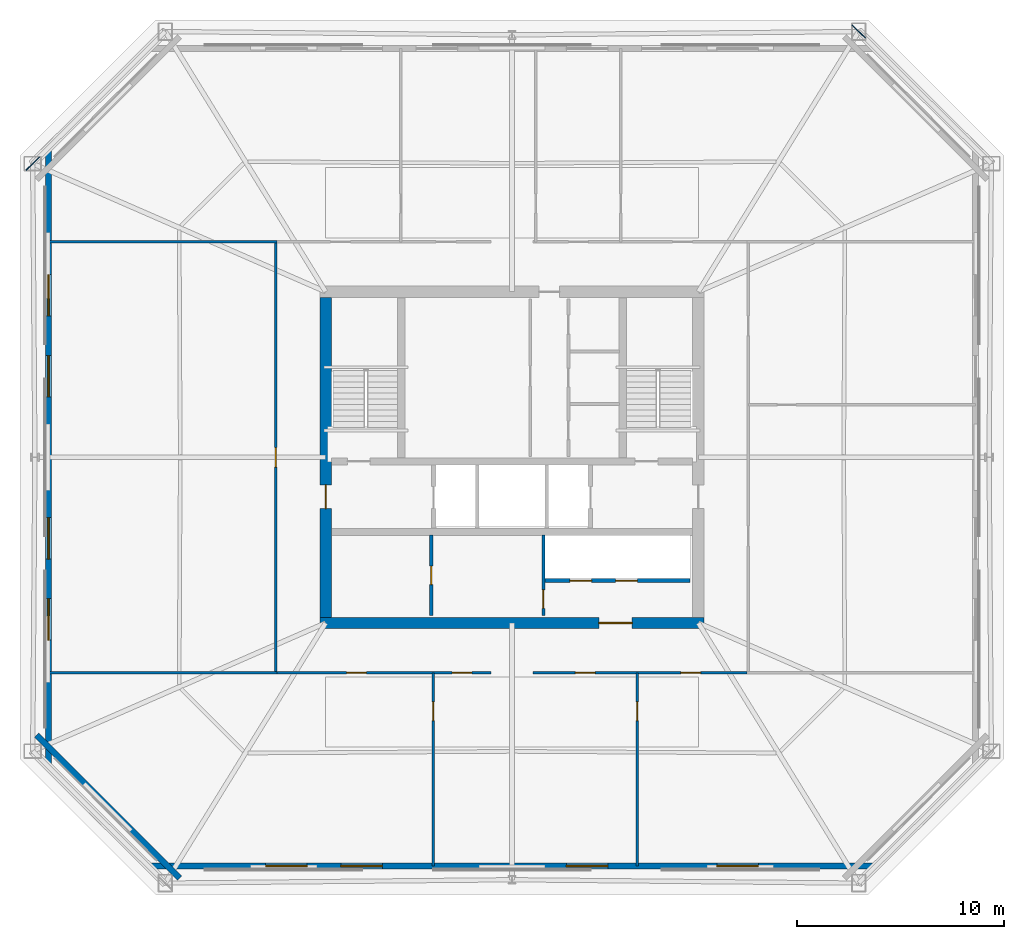
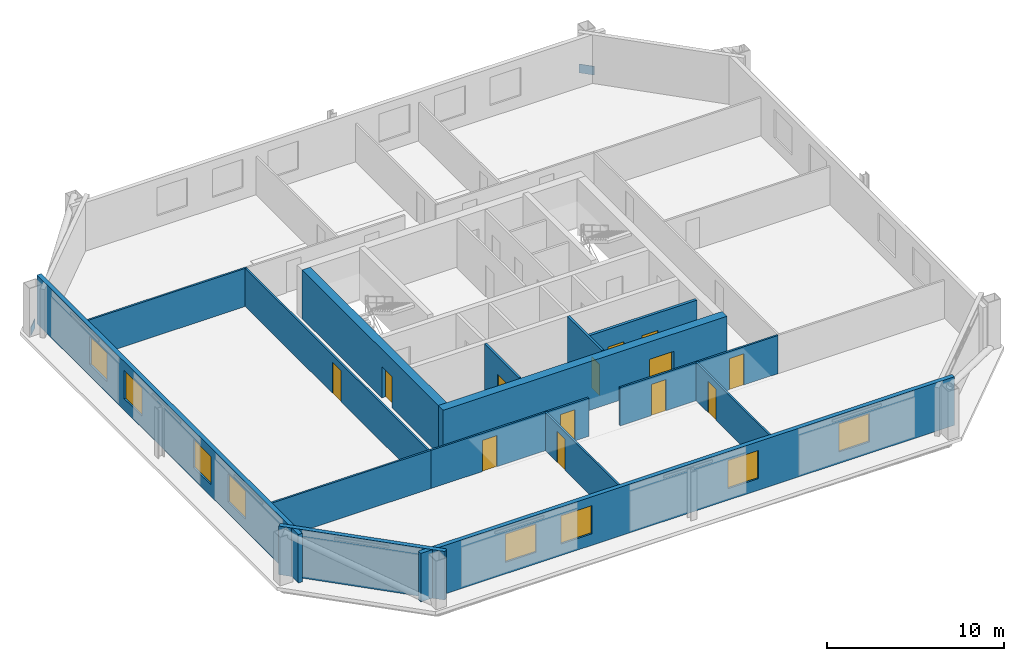
# One storey, part 2 of 6: 15 walls, 13 doors, 8 windows, 2 plates, 21 openings.
"""IFC4 building model written with IfcOpenShell, lengths in metres."""

from ifc_helpers import new_model, si_unit, direction, frame, frame_2d, origin, origin_2d, place, context, subcontext, project, spatial, rectangle, extrude, material, layer, layer_set, type_object, element, fill, save


model = new_model("IFC4")

# Units and contexts
model_context = context("Model", 3, precision=1e-05, world=origin(), true_north=direction((0.0, 1.0)))
body_context = subcontext(model_context, "Body", "Model", "MODEL_VIEW")
ifc_project = project(units=[si_unit("LENGTHUNIT", "METRE"), si_unit("AREAUNIT", "SQUARE_METRE"), si_unit("VOLUMEUNIT", "CUBIC_METRE"), si_unit("PLANEANGLEUNIT", "RADIAN"), si_unit("MASSUNIT", "GRAM", prefix="KILO")], contexts=[model_context])

# Site, building, storey
site_placement = place(None, origin())
site = spatial("IfcSite", under=ifc_project, at=site_placement, CompositionType="ELEMENT")
building_placement = place(site_placement, origin())
building = spatial("IfcBuilding", under=site, at=building_placement, Name="Caelvoria Tower", CompositionType="ELEMENT")
storey_placement = place(building_placement, frame((0.0, 0.0, 180.60009765625)))
storey = spatial("IfcBuildingStorey", under=building, at=storey_placement, Name="L47", CompositionType="ELEMENT", Elevation=180.60009765625)

# Plates
ifc_material_1 = material(Name="Structural Steel ASTM A572 Gr.50", Category="steel")
ifc_layer_1 = layer(ifc_material_1, 0.0400390625, Name="Structural Steel ASTM A572 Gr.50")
ifc_layer_set_1 = layer_set([ifc_layer_1], Name="Megaframe Node Gusset Plate 900x600x40 - Structural Steel ASTM A572 Gr.50")
plate_type = type_object("IfcPlateType", Name="Megaframe Node Gusset Plate 900x600x40", PredefinedType="USERDEFINED", material=ifc_layer_set_1)
for number, where, z_axis, x_axis, name in (
    (1, (62.745361328125, 52.561767578125, 0.019775390625), (0.0, 0.0, 1.0), (0.708373100352, -0.705838190166, 0.0), "Chamfer Mega Brace Gusset L47 NE"),
    (2, (22.85400390625, 46.183837890625, 0.019775390625), (0.0, 0.0, 1.0), (0.708373100352, 0.705838190166, 0.0), "Chamfer Mega Brace Gusset L47 NW"),
):
    element("IfcPlate", number, at=place(storey_placement, frame(where, z_axis=z_axis, x_axis=x_axis)), inside=storey, type_object=plate_type, Name=name, ObjectType="GUSSET_PLATE", PredefinedType="USERDEFINED", context=body_context, shape_type="SweptSolid", body=[
        extrude(rectangle(XDim=0.89990234375, YDim=0.0400390625, at=origin_2d()), origin(), (0.0, 0.0, 1.0), 0.60009765625),
    ])

# Wall, opening, door
ifc_material_2 = material(Name="Double Gypsum Board on Steel Stud", Category="steel")
ifc_layer_2 = layer(ifc_material_2, 0.14990234375, Name="Double Gypsum Board on Steel Stud")
ifc_layer_set_2 = layer_set([ifc_layer_2], Name="Core Service Acoustic Partition Wall 150 - Double Gypsum Board on Steel Stud")
wall_type_1 = type_object("IfcWallType", Name="Core Service Acoustic Partition Wall 150", PredefinedType="PARTITIONING", material=ifc_layer_set_2)
wall_1_placement = place(storey_placement, frame((42.10009765625, 24.35009765625, 0.0), z_axis=(0.0, 0.0, 1.0), x_axis=(0.0, 1.0, 0.0)))
wall_1 = element("IfcWall", 3, at=wall_1_placement, inside=storey, type_object=wall_type_1, Name="Interior Partition IW-L47-RECL-MID", PredefinedType="PARTITIONING", context=body_context, shape_type="SweptSolid", body=[
    extrude(rectangle(XDim=3.89990234375, YDim=0.14990234375, at=frame_2d((1.949951171875, 0.0))), origin(), (0.0, 0.0, 1.0), 3.35986328125),
])
opening_1_placement = place(wall_1_placement, frame((1.5, 0.0, 0.0)))
opening_1 = element("IfcOpeningElement", 4, at=opening_1_placement, cuts=wall_1, Name="Opening ID-06", PredefinedType="OPENING", context=body_context, shape_type="SweptSolid", body=[
    extrude(rectangle(XDim=0.89990234375, YDim=2.14990234375, at=frame_2d((0.449951171875, 1.074951171875))), frame((0.0, 0.0849609375, 0.0), z_axis=(0.0, -1.0, 0.0), x_axis=(1.0, 0.0, 0.0)), (0.0, 0.0, 1.0), 0.169921875),
])
ifc_material_3 = material(Name="Engineered Andean Oak Veneer Door", Category="wood")
door_type_1 = type_object("IfcDoorType", Name="Interior Timber Door 900x2150", OperationType="NOTDEFINED", PredefinedType="DOOR", material=ifc_material_3)
door_1_placement = place(opening_1_placement, origin())
door_1 = element("IfcDoor", 5, at=door_1_placement, inside=storey, type_object=door_type_1, Name="Interior Door DR-L47-RECL12", OperationType="SINGLE_SWING_LEFT", OverallHeight=2.14990234375, OverallWidth=0.89990234375, PredefinedType="DOOR", context=body_context, shape_type="SweptSolid", body=[
    extrude(rectangle(XDim=0.89990234375, YDim=2.14990234375, at=frame_2d((0.449951171875, 1.074951171875))), frame((0.0, 0.02490234375, 0.0), z_axis=(0.0, -1.0, 0.0), x_axis=(1.0, 0.0, 0.0)), (0.0, 0.0, 1.0), 0.050048828125),
])
fill(opening_1, door_1)

wall_2_placement = place(storey_placement, frame((47.52001953125, 24.35009765625, 0.0), z_axis=(0.0, 0.0, 1.0), x_axis=(0.0, 1.0, 0.0)))
wall_2 = element("IfcWall", 6, at=wall_2_placement, inside=storey, type_object=wall_type_1, Name="Interior Partition IW-L47-RECL2E", PredefinedType="PARTITIONING", context=body_context, shape_type="SweptSolid", body=[
    extrude(rectangle(XDim=3.89990234375, YDim=0.14990234375, at=frame_2d((1.949951171875, 0.0))), origin(), (0.0, 0.0, 1.0), 3.35986328125),
])
opening_2_placement = place(wall_2_placement, frame((0.35009765625, 0.0, 0.0)))
opening_2 = element("IfcOpeningElement", 7, at=opening_2_placement, cuts=wall_2, Name="Opening ID-04", PredefinedType="OPENING", context=body_context, shape_type="SweptSolid", body=[
    extrude(rectangle(XDim=0.89990234375, YDim=2.14990234375, at=frame_2d((0.449951171875, 1.074951171875))), frame((0.0, 0.0849609375, 0.0), z_axis=(0.0, -1.0, 0.0), x_axis=(1.0, 0.0, 0.0)), (0.0, 0.0, 1.0), 0.169921875),
])
ifc_material_4 = material(Name="Acoustic Timber Fire Door", Category="wood")
door_type_2 = type_object("IfcDoorType", Name="Fire Door FD30S 900x2150", OperationType="NOTDEFINED", PredefinedType="DOOR", material=ifc_material_4)
door_2_placement = place(opening_2_placement, origin())
door_2 = element("IfcDoor", 8, at=door_2_placement, inside=storey, type_object=door_type_2, Name="Interior Door DR-L47-RECL2", OperationType="SINGLE_SWING_RIGHT", OverallHeight=2.14990234375, OverallWidth=0.89990234375, PredefinedType="DOOR", context=body_context, shape_type="SweptSolid", body=[
    extrude(rectangle(XDim=0.89990234375, YDim=2.14990234375, at=frame_2d((0.449951171875, 1.074951171875))), frame((0.0, 0.02490234375, 0.0), z_axis=(0.0, -1.0, 0.0), x_axis=(1.0, 0.0, 0.0)), (0.0, 0.0, 1.0), 0.050048828125),
])
fill(opening_2, door_2)

# Wall, openings, windows
ifc_material_5 = material(Name="Precast Concrete C40/50 with Bronze Cladding", Category="concrete")
ifc_layer_3 = layer(ifc_material_5, 0.280029296875, Name="Precast Concrete C40/50 with Bronze Cladding")
ifc_layer_set_3 = layer_set([ifc_layer_3], Name="Exterior Precast Concrete C40/50 Bronze-Clad Facade Wall 280 - Precast Concrete C40/50 with Bronze Cladding")
wall_type_2 = type_object("IfcWallType", Name="Exterior Precast Concrete C40/50 Bronze-Clad Facade Wall 280", PredefinedType="STANDARD", material=ifc_layer_set_3)
wall_3_placement = place(storey_placement, frame((28.56005859375, 12.260009765625, 0.0), z_axis=(0.0, 0.0, 1.0), x_axis=(1.0, 0.0, 0.0)))
wall_3 = element("IfcWall", 9, at=wall_3_placement, inside=storey, type_object=wall_type_2, Name="Exterior Facade Wall L47-E0", PredefinedType="STANDARD", context=body_context, shape_type="SweptSolid", body=[
    extrude(rectangle(XDim=34.8798828125, YDim=0.280029296875, at=frame_2d((17.43994140625, 0.0))), origin(), (0.0, 0.0, 1.0), 3.35986328125),
])
opening_3_placement = place(wall_3_placement, frame((5.546630859375, 0.0, 0.800048828125)))
opening_3 = element("IfcOpeningElement", 10, at=opening_3_placement, cuts=wall_3, Name="Opening WN-01", PredefinedType="OPENING", context=body_context, shape_type="SweptSolid", body=[
    extrude(rectangle(XDim=2.0, YDim=1.949951171875, at=frame_2d((1.0, 0.97509765625))), frame((0.0, 0.14990234375, 0.0), z_axis=(0.0, -1.0, 0.0), x_axis=(1.0, 0.0, 0.0)), (0.0, 0.0, 1.0), 0.300048828125),
])
opening_4_placement = place(wall_3_placement, frame((9.177734375, 0.0, 0.800048828125)))
opening_4 = element("IfcOpeningElement", 11, at=opening_4_placement, cuts=wall_3, Name="Opening WN-01", PredefinedType="OPENING", context=body_context, shape_type="SweptSolid", body=[
    extrude(rectangle(XDim=2.0, YDim=1.949951171875, at=frame_2d((1.0, 0.97509765625))), frame((0.0, 0.14990234375, 0.0), z_axis=(0.0, -1.0, 0.0), x_axis=(1.0, 0.0, 0.0)), (0.0, 0.0, 1.0), 0.300048828125),
])
opening_5_placement = place(wall_3_placement, frame((20.071044921875, 0.0, 0.800048828125)))
opening_5 = element("IfcOpeningElement", 12, at=opening_5_placement, cuts=wall_3, Name="Opening WN-01", PredefinedType="OPENING", context=body_context, shape_type="SweptSolid", body=[
    extrude(rectangle(XDim=2.0, YDim=1.949951171875, at=frame_2d((1.0, 0.97509765625))), frame((0.0, 0.14990234375, 0.0), z_axis=(0.0, -1.0, 0.0), x_axis=(1.0, 0.0, 0.0)), (0.0, 0.0, 1.0), 0.300048828125),
])
opening_6_placement = place(wall_3_placement, frame((27.333251953125, 0.0, 0.800048828125)))
opening_6 = element("IfcOpeningElement", 13, at=opening_6_placement, cuts=wall_3, Name="Opening WN-01", PredefinedType="OPENING", context=body_context, shape_type="SweptSolid", body=[
    extrude(rectangle(XDim=2.0, YDim=1.949951171875, at=frame_2d((1.0, 0.97509765625))), frame((0.0, 0.14990234375, 0.0), z_axis=(0.0, -1.0, 0.0), x_axis=(1.0, 0.0, 0.0)), (0.0, 0.0, 1.0), 0.300048828125),
])
ifc_material_6 = material(Name="Low-E Tinted Glass in Bronze Aluminium Frame", Category="aluminium")
window_type = type_object("IfcWindowType", Name="Tower Office Vision Window 2000x1950", PartitioningType="SINGLE_PANEL", PredefinedType="WINDOW", material=ifc_material_6)
window_1_placement = place(opening_3_placement, origin())
window_1 = element("IfcWindow", 14, at=window_1_placement, inside=storey, type_object=window_type, Name="Facade Window L47-E0-01", OverallHeight=1.949951171875, OverallWidth=2.0, PartitioningType="SINGLE_PANEL", PredefinedType="WINDOW", context=body_context, shape_type="SweptSolid", body=[
    extrude(rectangle(XDim=2.0, YDim=1.949951171875, at=frame_2d((1.0, 0.97509765625))), frame((0.0, 0.030029296875, 0.0), z_axis=(0.0, -1.0, 0.0), x_axis=(1.0, 0.0, 0.0)), (0.0, 0.0, 1.0), 0.06005859375),
])
fill(opening_3, window_1)
window_2_placement = place(opening_4_placement, origin())
window_2 = element("IfcWindow", 15, at=window_2_placement, inside=storey, type_object=window_type, Name="Facade Window L47-E0-02", OverallHeight=1.949951171875, OverallWidth=2.0, PartitioningType="SINGLE_PANEL", PredefinedType="WINDOW", context=body_context, shape_type="SweptSolid", body=[
    extrude(rectangle(XDim=2.0, YDim=1.949951171875, at=frame_2d((1.0, 0.97509765625))), frame((0.0, 0.030029296875, 0.0), z_axis=(0.0, -1.0, 0.0), x_axis=(1.0, 0.0, 0.0)), (0.0, 0.0, 1.0), 0.06005859375),
])
fill(opening_4, window_2)
window_3_placement = place(opening_5_placement, origin())
window_3 = element("IfcWindow", 16, at=window_3_placement, inside=storey, type_object=window_type, Name="Facade Window L47-E0-05", OverallHeight=1.949951171875, OverallWidth=2.0, PartitioningType="SINGLE_PANEL", PredefinedType="WINDOW", context=body_context, shape_type="SweptSolid", body=[
    extrude(rectangle(XDim=2.0, YDim=1.949951171875, at=frame_2d((1.0, 0.97509765625))), frame((0.0, 0.030029296875, 0.0), z_axis=(0.0, -1.0, 0.0), x_axis=(1.0, 0.0, 0.0)), (0.0, 0.0, 1.0), 0.06005859375),
])
fill(opening_5, window_3)
window_4_placement = place(opening_6_placement, origin())
window_4 = element("IfcWindow", 17, at=window_4_placement, inside=storey, type_object=window_type, Name="Facade Window L47-E0-07", OverallHeight=1.949951171875, OverallWidth=2.0, PartitioningType="SINGLE_PANEL", PredefinedType="WINDOW", context=body_context, shape_type="SweptSolid", body=[
    extrude(rectangle(XDim=2.0, YDim=1.949951171875, at=frame_2d((1.0, 0.97509765625))), frame((0.0, 0.030029296875, 0.0), z_axis=(0.0, -1.0, 0.0), x_axis=(1.0, 0.0, 0.0)), (0.0, 0.0, 1.0), 0.06005859375),
])
fill(opening_6, window_4)

wall_4_placement = place(storey_placement, frame((23.6201171875, 46.800048828125, 0.0), z_axis=(0.0, 0.0, 1.0), x_axis=(0.0, -1.0, 0.0)))
wall_4 = element("IfcWall", 18, at=wall_4_placement, inside=storey, type_object=wall_type_2, Name="Exterior Facade Wall L47-E6", PredefinedType="STANDARD", context=body_context, shape_type="SweptSolid", body=[
    extrude(rectangle(XDim=29.60009765625, YDim=0.280029296875, at=frame_2d((14.800048828125, 0.0))), origin(), (0.0, 0.0, 1.0), 3.35986328125),
])
opening_7_placement = place(wall_4_placement, frame((5.971435546875, 0.0, 0.800048828125)))
opening_7 = element("IfcOpeningElement", 19, at=opening_7_placement, cuts=wall_4, Name="Opening WN-01", PredefinedType="OPENING", context=body_context, shape_type="SweptSolid", body=[
    extrude(rectangle(XDim=2.0, YDim=1.949951171875, at=frame_2d((1.0, 0.97509765625))), frame((0.0, 0.14990234375, 0.0), z_axis=(0.0, -1.0, 0.0), x_axis=(1.0, 0.0, 0.0)), (0.0, 0.0, 1.0), 0.300048828125),
])
opening_8_placement = place(wall_4_placement, frame((9.8857421875, 0.0, 0.800048828125)))
opening_8 = element("IfcOpeningElement", 20, at=opening_8_placement, cuts=wall_4, Name="Opening WN-01", PredefinedType="OPENING", context=body_context, shape_type="SweptSolid", body=[
    extrude(rectangle(XDim=2.0, YDim=1.949951171875, at=frame_2d((1.0, 0.97509765625))), frame((0.0, 0.14990234375, 0.0), z_axis=(0.0, -1.0, 0.0), x_axis=(1.0, 0.0, 0.0)), (0.0, 0.0, 1.0), 0.300048828125),
])
opening_9_placement = place(wall_4_placement, frame((17.71435546875, 0.0, 0.800048828125)))
opening_9 = element("IfcOpeningElement", 21, at=opening_9_placement, cuts=wall_4, Name="Opening WN-01", PredefinedType="OPENING", context=body_context, shape_type="SweptSolid", body=[
    extrude(rectangle(XDim=2.0, YDim=1.949951171875, at=frame_2d((1.0, 0.97509765625))), frame((0.0, 0.14990234375, 0.0), z_axis=(0.0, -1.0, 0.0), x_axis=(1.0, 0.0, 0.0)), (0.0, 0.0, 1.0), 0.300048828125),
])
opening_10_placement = place(wall_4_placement, frame((21.628662109375, 0.0, 0.800048828125)))
opening_10 = element("IfcOpeningElement", 22, at=opening_10_placement, cuts=wall_4, Name="Opening WN-01", PredefinedType="OPENING", context=body_context, shape_type="SweptSolid", body=[
    extrude(rectangle(XDim=2.0, YDim=1.949951171875, at=frame_2d((1.0, 0.97509765625))), frame((0.0, 0.14990234375, 0.0), z_axis=(0.0, -1.0, 0.0), x_axis=(1.0, 0.0, 0.0)), (0.0, 0.0, 1.0), 0.300048828125),
])
window_5_placement = place(opening_7_placement, origin())
window_5 = element("IfcWindow", 23, at=window_5_placement, inside=storey, type_object=window_type, Name="Facade Window L47-E6-01", OverallHeight=1.949951171875, OverallWidth=2.0, PartitioningType="SINGLE_PANEL", PredefinedType="WINDOW", context=body_context, shape_type="SweptSolid", body=[
    extrude(rectangle(XDim=2.0, YDim=1.949951171875, at=frame_2d((1.0, 0.97509765625))), frame((0.0, 0.030029296875, 0.0), z_axis=(0.0, -1.0, 0.0), x_axis=(1.0, 0.0, 0.0)), (0.0, 0.0, 1.0), 0.06005859375),
])
fill(opening_7, window_5)
window_6_placement = place(opening_8_placement, origin())
window_6 = element("IfcWindow", 24, at=window_6_placement, inside=storey, type_object=window_type, Name="Facade Window L47-E6-02", OverallHeight=1.949951171875, OverallWidth=2.0, PartitioningType="SINGLE_PANEL", PredefinedType="WINDOW", context=body_context, shape_type="SweptSolid", body=[
    extrude(rectangle(XDim=2.0, YDim=1.949951171875, at=frame_2d((1.0, 0.97509765625))), frame((0.0, 0.030029296875, 0.0), z_axis=(0.0, -1.0, 0.0), x_axis=(1.0, 0.0, 0.0)), (0.0, 0.0, 1.0), 0.06005859375),
])
fill(opening_8, window_6)
window_7_placement = place(opening_9_placement, origin())
window_7 = element("IfcWindow", 25, at=window_7_placement, inside=storey, type_object=window_type, Name="Facade Window L47-E6-04", OverallHeight=1.949951171875, OverallWidth=2.0, PartitioningType="SINGLE_PANEL", PredefinedType="WINDOW", context=body_context, shape_type="SweptSolid", body=[
    extrude(rectangle(XDim=2.0, YDim=1.949951171875, at=frame_2d((1.0, 0.97509765625))), frame((0.0, 0.030029296875, 0.0), z_axis=(0.0, -1.0, 0.0), x_axis=(1.0, 0.0, 0.0)), (0.0, 0.0, 1.0), 0.06005859375),
])
fill(opening_9, window_7)
window_8_placement = place(opening_10_placement, origin())
window_8 = element("IfcWindow", 26, at=window_8_placement, inside=storey, type_object=window_type, Name="Facade Window L47-E6-05", OverallHeight=1.949951171875, OverallWidth=2.0, PartitioningType="SINGLE_PANEL", PredefinedType="WINDOW", context=body_context, shape_type="SweptSolid", body=[
    extrude(rectangle(XDim=2.0, YDim=1.949951171875, at=frame_2d((1.0, 0.97509765625))), frame((0.0, 0.030029296875, 0.0), z_axis=(0.0, -1.0, 0.0), x_axis=(1.0, 0.0, 0.0)), (0.0, 0.0, 1.0), 0.06005859375),
])
fill(opening_10, window_8)

# Wall
wall_5_placement = place(storey_placement, frame((23.046142578125, 18.58544921875, 0.0), z_axis=(0.0, 0.0, 1.0), x_axis=(0.707106781187, -0.707106781187, 0.0)))
element("IfcWall", 27, at=wall_5_placement, inside=storey, type_object=wall_type_2, Name="Exterior Facade Wall L47-E7", PredefinedType="STANDARD", context=body_context, shape_type="SweptSolid", body=[
    extrude(rectangle(XDim=9.75732421875, YDim=0.280029296875, at=frame_2d((4.878662109375, 0.0))), origin(), (0.0, 0.0, 1.0), 3.35986328125),
])

# Wall, openings, doors
ifc_material_7 = material(Name="Concrete Block and Fireboard Assembly", Category="concrete")
ifc_layer_4 = layer(ifc_material_7, 0.179931640625, Name="Concrete Block and Fireboard Assembly")
ifc_layer_set_4 = layer_set([ifc_layer_4], Name="Fire-Rated Hoistway Partition Wall 180 - Concrete Block and Fireboard Assembly")
wall_type_3 = type_object("IfcWallType", Name="Fire-Rated Hoistway Partition Wall 180", PredefinedType="PARTITIONING", material=ifc_layer_set_4)
wall_6_placement = place(storey_placement, frame((47.60009765625, 26.050048828125, 0.0), z_axis=(0.0, 0.0, 1.0), x_axis=(1.0, 0.0, 0.0)))
wall_6 = element("IfcWall", 28, at=wall_6_placement, inside=storey, type_object=wall_type_3, Name="Interior Partition IW-L47-LFRONT", PredefinedType="PARTITIONING", context=body_context, shape_type="SweptSolid", body=[
    extrude(rectangle(XDim=7.0, YDim=0.179931640625, at=frame_2d((3.5, 0.0))), origin(), (0.0, 0.0, 1.0), 3.35986328125),
])
opening_11_placement = place(wall_6_placement, frame((1.199951171875, 0.0, 0.0)))
opening_11 = element("IfcOpeningElement", 29, at=opening_11_placement, cuts=wall_6, Name="Opening LD-01", PredefinedType="OPENING", context=body_context, shape_type="SweptSolid", body=[
    extrude(rectangle(XDim=1.050048828125, YDim=2.14990234375, at=frame_2d((0.52490234375, 1.074951171875))), frame((0.0, 0.099853515625, 0.0), z_axis=(0.0, -1.0, 0.0), x_axis=(1.0, 0.0, 0.0)), (0.0, 0.0, 1.0), 0.199951171875),
])
opening_12_placement = place(wall_6_placement, frame((3.39990234375, 0.0, 0.0)))
opening_12 = element("IfcOpeningElement", 30, at=opening_12_placement, cuts=wall_6, Name="Opening LD-01", PredefinedType="OPENING", context=body_context, shape_type="SweptSolid", body=[
    extrude(rectangle(XDim=1.050048828125, YDim=2.14990234375, at=frame_2d((0.52490234375, 1.074951171875))), frame((0.0, 0.099853515625, 0.0), z_axis=(0.0, -1.0, 0.0), x_axis=(1.0, 0.0, 0.0)), (0.0, 0.0, 1.0), 0.199951171875),
])
ifc_material_8 = material(Name="Brushed Bronze Stainless Sliding Landing Door", Category="aluminium")
door_type_3 = type_object("IfcDoorType", Name="Lift Landing Sliding Door 1100x2150", OperationType="NOTDEFINED", PredefinedType="DOOR", material=ifc_material_8)
door_3_placement = place(opening_11_placement, origin())
door_3 = element("IfcDoor", 31, at=door_3_placement, inside=storey, type_object=door_type_3, Name="Interior Door LD-L47-PH1", OperationType="SLIDING_TO_LEFT", OverallHeight=2.14990234375, OverallWidth=1.050048828125, PredefinedType="DOOR", context=body_context, shape_type="SweptSolid", body=[
    extrude(rectangle(XDim=1.050048828125, YDim=2.14990234375, at=frame_2d((0.52490234375, 1.074951171875))), frame((0.0, 0.02490234375, 0.0), z_axis=(0.0, -1.0, 0.0), x_axis=(1.0, 0.0, 0.0)), (0.0, 0.0, 1.0), 0.050048828125),
])
fill(opening_11, door_3)
door_4_placement = place(opening_12_placement, origin())
door_4 = element("IfcDoor", 32, at=door_4_placement, inside=storey, type_object=door_type_3, Name="Interior Door LD-L47-PH2", OperationType="SLIDING_TO_RIGHT", OverallHeight=2.14990234375, OverallWidth=1.050048828125, PredefinedType="DOOR", context=body_context, shape_type="SweptSolid", body=[
    extrude(rectangle(XDim=1.050048828125, YDim=2.14990234375, at=frame_2d((0.52490234375, 1.074951171875))), frame((0.0, 0.02490234375, 0.0), z_axis=(0.0, -1.0, 0.0), x_axis=(1.0, 0.0, 0.0)), (0.0, 0.0, 1.0), 0.050048828125),
])
fill(opening_12, door_4)

# Wall, opening, door
ifc_material_9 = material(Name="Concrete C55/67", Category="concrete")
ifc_layer_5 = layer(ifc_material_9, 0.550048828125, Name="Concrete C55/67")
ifc_layer_set_5 = layer_set([ifc_layer_5], Name="Mid Core Shear Wall 550 - Concrete C55/67")
wall_type_4 = type_object("IfcWallType", Name="Mid Core Shear Wall 550", PredefinedType="SHEAR", material=ifc_layer_set_5)
wall_7_placement = place(storey_placement, frame((36.72509765625, 24.0, 0.0), z_axis=(0.0, 0.0, 1.0), x_axis=(1.0, 0.0, 0.0)))
wall_7 = element("IfcWall", 33, at=wall_7_placement, inside=storey, type_object=wall_type_4, Name="Core Shear Wall L47 S", PredefinedType="SHEAR", context=body_context, shape_type="SweptSolid", body=[
    extrude(rectangle(XDim=18.5498046875, YDim=0.550048828125, at=frame_2d((9.27490234375, 0.0))), origin(), (0.0, 0.0, 1.0), 3.35986328125),
])
opening_13_placement = place(wall_7_placement, frame((13.47509765625, 0.0, 0.0)))
opening_13 = element("IfcOpeningElement", 34, at=opening_13_placement, cuts=wall_7, Name="Opening ID-08", PredefinedType="OPENING", context=body_context, shape_type="SweptSolid", body=[
    extrude(rectangle(XDim=1.60009765625, YDim=2.14990234375, at=frame_2d((0.800048828125, 1.074951171875))), frame((0.0, 0.284912109375, 0.0), z_axis=(0.0, -1.0, 0.0), x_axis=(1.0, 0.0, 0.0)), (0.0, 0.0, 1.0), 0.570068359375),
])
ifc_material_10 = material(Name="Bronze-Framed Fire-Rated Glazed Double Door", Category="aluminium")
door_type_4 = type_object("IfcDoorType", Name="Double Lobby Glazed Door 1600x2200", OperationType="NOTDEFINED", PredefinedType="DOOR", material=ifc_material_10)
door_5_placement = place(opening_13_placement, origin())
door_5 = element("IfcDoor", 35, at=door_5_placement, inside=storey, type_object=door_type_4, Name="Core Door DR-L47-LLOB-S2", OperationType="DOUBLE_DOOR_SINGLE_SWING", OverallHeight=2.14990234375, OverallWidth=1.60009765625, PredefinedType="DOOR", context=body_context, shape_type="SweptSolid", body=[
    extrude(rectangle(XDim=1.60009765625, YDim=2.14990234375, at=frame_2d((0.800048828125, 1.074951171875))), frame((0.0, 0.02490234375, 0.0), z_axis=(0.0, -1.0, 0.0), x_axis=(1.0, 0.0, 0.0)), (0.0, 0.0, 1.0), 0.050048828125),
])
fill(opening_13, door_5)

wall_8_placement = place(storey_placement, frame((37.0, 24.27490234375, 0.0), z_axis=(0.0, 0.0, 1.0), x_axis=(0.0, 1.0, 0.0)))
wall_8 = element("IfcWall", 36, at=wall_8_placement, inside=storey, type_object=wall_type_4, Name="Core Shear Wall L47 W", PredefinedType="SHEAR", context=body_context, shape_type="SweptSolid", body=[
    extrude(rectangle(XDim=15.4501953125, YDim=0.550048828125, at=frame_2d((7.72509765625, 0.0))), origin(), (0.0, 0.0, 1.0), 3.35986328125),
])
opening_14_placement = place(wall_8_placement, frame((5.25, 0.0, 0.0)))
opening_14 = element("IfcOpeningElement", 37, at=opening_14_placement, cuts=wall_8, Name="Opening ID-02", PredefinedType="OPENING", context=body_context, shape_type="SweptSolid", body=[
    extrude(rectangle(XDim=1.14990234375, YDim=2.14990234375, at=frame_2d((0.574951171875, 1.074951171875))), frame((0.0, 0.284912109375, 0.0), z_axis=(0.0, -1.0, 0.0), x_axis=(1.0, 0.0, 0.0)), (0.0, 0.0, 1.0), 0.570068359375),
])
ifc_material_11 = material(Name="Painted Hollow Steel Fire Door", Category="steel")
door_type_5 = type_object("IfcDoorType", Name="Fire Door FD60S 1150x2150", OperationType="NOTDEFINED", PredefinedType="DOOR", material=ifc_material_11)
door_6_placement = place(opening_14_placement, origin())
door_6 = element("IfcDoor", 38, at=door_6_placement, inside=storey, type_object=door_type_5, Name="Core Door DR-L47-FFLW-OUT", OperationType="SINGLE_SWING_LEFT", OverallHeight=2.14990234375, OverallWidth=1.14990234375, PredefinedType="DOOR", context=body_context, shape_type="SweptSolid", body=[
    extrude(rectangle(XDim=1.14990234375, YDim=2.14990234375, at=frame_2d((0.574951171875, 1.074951171875))), frame((0.0, 0.02490234375, 0.0), z_axis=(0.0, -1.0, 0.0), x_axis=(1.0, 0.0, 0.0)), (0.0, 0.0, 1.0), 0.050048828125),
])
fill(opening_14, door_6)

ifc_material_12 = material(Name="Acoustic Gypsum Board on Light-Gauge Stud", Category="gypsum")
ifc_layer_6 = layer(ifc_material_12, 0.1201171875, Name="Acoustic Gypsum Board on Light-Gauge Stud")
ifc_layer_set_6 = layer_set([ifc_layer_6], Name="Tenant Suite Acoustic Partition Wall 120 - Acoustic Gypsum Board on Light-Gauge Stud")
wall_type_5 = type_object("IfcWallType", Name="Tenant Suite Acoustic Partition Wall 120", PredefinedType="PARTITIONING", material=ifc_layer_set_6)
wall_9_placement = place(storey_placement, frame((42.190673828125, 21.590087890625, 0.0), z_axis=(0.0, 0.0, 1.0), x_axis=(0.0, -1.0, 0.0)))
wall_9 = element("IfcWall", 39, at=wall_9_placement, inside=storey, type_object=wall_type_5, Name="Interior Partition IW-L47-SD-00-0", PredefinedType="PARTITIONING", context=body_context, shape_type="SweptSolid", body=[
    extrude(rectangle(XDim=9.330078125, YDim=0.1201171875, at=frame_2d((4.6650390625, 0.0))), origin(), (0.0, 0.0, 1.0), 2.639892578125),
])
opening_15_placement = place(wall_9_placement, frame((1.39990234375, 0.0, 0.0)))
opening_15 = element("IfcOpeningElement", 40, at=opening_15_placement, cuts=wall_9, Name="Opening ID-06", PredefinedType="OPENING", context=body_context, shape_type="SweptSolid", body=[
    extrude(rectangle(XDim=0.89990234375, YDim=2.14990234375, at=frame_2d((0.449951171875, 1.074951171875))), frame((0.0, 0.070068359375, 0.0), z_axis=(0.0, -1.0, 0.0), x_axis=(1.0, 0.0, 0.0)), (0.0, 0.0, 1.0), 0.14013671875),
])
door_7_placement = place(opening_15_placement, origin())
door_7 = element("IfcDoor", 41, at=door_7_placement, inside=storey, type_object=door_type_1, Name="Interior Door DR-L47-SM-00-0", OperationType="SINGLE_SWING_RIGHT", OverallHeight=2.14990234375, OverallWidth=0.89990234375, PredefinedType="DOOR", context=body_context, shape_type="SweptSolid", body=[
    extrude(rectangle(XDim=0.89990234375, YDim=2.14990234375, at=frame_2d((0.449951171875, 1.074951171875))), frame((0.0, 0.02490234375, 0.0), z_axis=(0.0, -1.0, 0.0), x_axis=(1.0, 0.0, 0.0)), (0.0, 0.0, 1.0), 0.050048828125),
])
fill(opening_15, door_7)

wall_10_placement = place(storey_placement, frame((52.05810546875, 21.590087890625, 0.0), z_axis=(0.0, 0.0, 1.0), x_axis=(0.0, -1.0, 0.0)))
wall_10 = element("IfcWall", 42, at=wall_10_placement, inside=storey, type_object=wall_type_5, Name="Interior Partition IW-L47-SD-02-0", PredefinedType="PARTITIONING", context=body_context, shape_type="SweptSolid", body=[
    extrude(rectangle(XDim=9.330078125, YDim=0.1201171875, at=frame_2d((4.6650390625, 0.0))), origin(), (0.0, 0.0, 1.0), 2.639892578125),
])
opening_16_placement = place(wall_10_placement, frame((1.39990234375, 0.0, 0.0)))
opening_16 = element("IfcOpeningElement", 43, at=opening_16_placement, cuts=wall_10, Name="Opening ID-06", PredefinedType="OPENING", context=body_context, shape_type="SweptSolid", body=[
    extrude(rectangle(XDim=0.89990234375, YDim=2.14990234375, at=frame_2d((0.449951171875, 1.074951171875))), frame((0.0, 0.070068359375, 0.0), z_axis=(0.0, -1.0, 0.0), x_axis=(1.0, 0.0, 0.0)), (0.0, 0.0, 1.0), 0.14013671875),
])
door_8_placement = place(opening_16_placement, origin())
door_8 = element("IfcDoor", 44, at=door_8_placement, inside=storey, type_object=door_type_1, Name="Interior Door DR-L47-SM-02-0", OperationType="SINGLE_SWING_RIGHT", OverallHeight=2.14990234375, OverallWidth=0.89990234375, PredefinedType="DOOR", context=body_context, shape_type="SweptSolid", body=[
    extrude(rectangle(XDim=0.89990234375, YDim=2.14990234375, at=frame_2d((0.449951171875, 1.074951171875))), frame((0.0, 0.02490234375, 0.0), z_axis=(0.0, -1.0, 0.0), x_axis=(1.0, 0.0, 0.0)), (0.0, 0.0, 1.0), 0.050048828125),
])
fill(opening_16, door_8)

# Wall, openings, doors
wall_11_placement = place(storey_placement, frame((34.64990234375, 21.590087890625, 0.0), z_axis=(0.0, 0.0, 1.0), x_axis=(1.0, 0.0, 0.0)))
wall_11 = element("IfcWall", 45, at=wall_11_placement, inside=storey, type_object=wall_type_5, Name="Interior Partition IW-L47-SCW-0", PredefinedType="PARTITIONING", context=body_context, shape_type="SweptSolid", body=[
    extrude(rectangle(XDim=10.330078125, YDim=0.1201171875, at=frame_2d((5.1650390625, 0.0))), origin(), (0.0, 0.0, 1.0), 2.639892578125),
])
opening_17_placement = place(wall_11_placement, frame((3.365234375, 0.0, 0.0)))
opening_17 = element("IfcOpeningElement", 46, at=opening_17_placement, cuts=wall_11, Name="Opening ID-05", PredefinedType="OPENING", context=body_context, shape_type="SweptSolid", body=[
    extrude(rectangle(XDim=0.949951171875, YDim=2.14990234375, at=frame_2d((0.47509765625, 1.074951171875))), frame((0.0, 0.070068359375, 0.0), z_axis=(0.0, -1.0, 0.0), x_axis=(1.0, 0.0, 0.0)), (0.0, 0.0, 1.0), 0.14013671875),
])
opening_18_placement = place(wall_11_placement, frame((8.46044921875, 0.0, 0.0)))
opening_18 = element("IfcOpeningElement", 47, at=opening_18_placement, cuts=wall_11, Name="Opening ID-05", PredefinedType="OPENING", context=body_context, shape_type="SweptSolid", body=[
    extrude(rectangle(XDim=0.949951171875, YDim=2.14990234375, at=frame_2d((0.47509765625, 1.074951171875))), frame((0.0, 0.070068359375, 0.0), z_axis=(0.0, -1.0, 0.0), x_axis=(1.0, 0.0, 0.0)), (0.0, 0.0, 1.0), 0.14013671875),
])
door_type_6 = type_object("IfcDoorType", Name="Interior Timber Door 950x2150", OperationType="NOTDEFINED", PredefinedType="DOOR", material=ifc_material_3)
door_9_placement = place(opening_17_placement, origin())
door_9 = element("IfcDoor", 48, at=door_9_placement, inside=storey, type_object=door_type_6, Name="Interior Door DR-L47-SC-00-0", OperationType="SINGLE_SWING_RIGHT", OverallHeight=2.14990234375, OverallWidth=0.949951171875, PredefinedType="DOOR", context=body_context, shape_type="SweptSolid", body=[
    extrude(rectangle(XDim=0.949951171875, YDim=2.14990234375, at=frame_2d((0.47509765625, 1.074951171875))), frame((0.0, 0.02490234375, 0.0), z_axis=(0.0, -1.0, 0.0), x_axis=(1.0, 0.0, 0.0)), (0.0, 0.0, 1.0), 0.050048828125),
])
fill(opening_17, door_9)
door_10_placement = place(opening_18_placement, origin())
door_10 = element("IfcDoor", 49, at=door_10_placement, inside=storey, type_object=door_type_6, Name="Interior Door DR-L47-SC-01-0", OperationType="SINGLE_SWING_LEFT", OverallHeight=2.14990234375, OverallWidth=0.949951171875, PredefinedType="DOOR", context=body_context, shape_type="SweptSolid", body=[
    extrude(rectangle(XDim=0.949951171875, YDim=2.14990234375, at=frame_2d((0.47509765625, 1.074951171875))), frame((0.0, 0.02490234375, 0.0), z_axis=(0.0, -1.0, 0.0), x_axis=(1.0, 0.0, 0.0)), (0.0, 0.0, 1.0), 0.050048828125),
])
fill(opening_18, door_10)

wall_12_placement = place(storey_placement, frame((47.02001953125, 21.590087890625, 0.0), z_axis=(0.0, 0.0, 1.0), x_axis=(1.0, 0.0, 0.0)))
wall_12 = element("IfcWall", 50, at=wall_12_placement, inside=storey, type_object=wall_type_5, Name="Interior Partition IW-L47-SCW-1", PredefinedType="PARTITIONING", context=body_context, shape_type="SweptSolid", body=[
    extrude(rectangle(XDim=10.330078125, YDim=0.1201171875, at=frame_2d((5.1650390625, 0.0))), origin(), (0.0, 0.0, 1.0), 2.639892578125),
])
opening_19_placement = place(wall_12_placement, frame((2.0439453125, 0.0, 0.0)))
opening_19 = element("IfcOpeningElement", 51, at=opening_19_placement, cuts=wall_12, Name="Opening ID-05", PredefinedType="OPENING", context=body_context, shape_type="SweptSolid", body=[
    extrude(rectangle(XDim=0.949951171875, YDim=2.14990234375, at=frame_2d((0.47509765625, 1.074951171875))), frame((0.0, 0.070068359375, 0.0), z_axis=(0.0, -1.0, 0.0), x_axis=(1.0, 0.0, 0.0)), (0.0, 0.0, 1.0), 0.14013671875),
])
opening_20_placement = place(wall_12_placement, frame((7.138916015625, 0.0, 0.0)))
opening_20 = element("IfcOpeningElement", 52, at=opening_20_placement, cuts=wall_12, Name="Opening ID-05", PredefinedType="OPENING", context=body_context, shape_type="SweptSolid", body=[
    extrude(rectangle(XDim=0.949951171875, YDim=2.14990234375, at=frame_2d((0.47509765625, 1.074951171875))), frame((0.0, 0.070068359375, 0.0), z_axis=(0.0, -1.0, 0.0), x_axis=(1.0, 0.0, 0.0)), (0.0, 0.0, 1.0), 0.14013671875),
])
door_11_placement = place(opening_19_placement, origin())
door_11 = element("IfcDoor", 53, at=door_11_placement, inside=storey, type_object=door_type_6, Name="Interior Door DR-L47-SC-02-0", OperationType="SINGLE_SWING_RIGHT", OverallHeight=2.14990234375, OverallWidth=0.949951171875, PredefinedType="DOOR", context=body_context, shape_type="SweptSolid", body=[
    extrude(rectangle(XDim=0.949951171875, YDim=2.14990234375, at=frame_2d((0.47509765625, 1.074951171875))), frame((0.0, 0.02490234375, 0.0), z_axis=(0.0, -1.0, 0.0), x_axis=(1.0, 0.0, 0.0)), (0.0, 0.0, 1.0), 0.050048828125),
])
fill(opening_19, door_11)
door_12_placement = place(opening_20_placement, origin())
door_12 = element("IfcDoor", 54, at=door_12_placement, inside=storey, type_object=door_type_6, Name="Interior Door DR-L47-SC-03-0", OperationType="SINGLE_SWING_LEFT", OverallHeight=2.14990234375, OverallWidth=0.949951171875, PredefinedType="DOOR", context=body_context, shape_type="SweptSolid", body=[
    extrude(rectangle(XDim=0.949951171875, YDim=2.14990234375, at=frame_2d((0.47509765625, 1.074951171875))), frame((0.0, 0.02490234375, 0.0), z_axis=(0.0, -1.0, 0.0), x_axis=(1.0, 0.0, 0.0)), (0.0, 0.0, 1.0), 0.050048828125),
])
fill(opening_20, door_12)

# Wall, opening, door
wall_13_placement = place(storey_placement, frame((34.590087890625, 21.64990234375, 0.0), z_axis=(0.0, 0.0, 1.0), x_axis=(0.0, 1.0, 0.0)))
wall_13 = element("IfcWall", 55, at=wall_13_placement, inside=storey, type_object=wall_type_5, Name="Interior Partition IW-L47-WCW-0", PredefinedType="PARTITIONING", context=body_context, shape_type="SweptSolid", body=[
    extrude(rectangle(XDim=20.7001953125, YDim=0.1201171875, at=frame_2d((10.35009765625, 0.0))), origin(), (0.0, 0.0, 1.0), 2.639892578125),
])
opening_21_placement = place(wall_13_placement, frame((9.875, 0.0, 0.0)))
opening_21 = element("IfcOpeningElement", 56, at=opening_21_placement, cuts=wall_13, Name="Opening ID-05", PredefinedType="OPENING", context=body_context, shape_type="SweptSolid", body=[
    extrude(rectangle(XDim=0.949951171875, YDim=2.14990234375, at=frame_2d((0.47509765625, 1.074951171875))), frame((0.0, 0.070068359375, 0.0), z_axis=(0.0, -1.0, 0.0), x_axis=(1.0, 0.0, 0.0)), (0.0, 0.0, 1.0), 0.14013671875),
])
door_13_placement = place(opening_21_placement, origin())
door_13 = element("IfcDoor", 57, at=door_13_placement, inside=storey, type_object=door_type_6, Name="Interior Door DR-L47-WC-00-0", OperationType="SINGLE_SWING_RIGHT", OverallHeight=2.14990234375, OverallWidth=0.949951171875, PredefinedType="DOOR", context=body_context, shape_type="SweptSolid", body=[
    extrude(rectangle(XDim=0.949951171875, YDim=2.14990234375, at=frame_2d((0.47509765625, 1.074951171875))), frame((0.0, 0.02490234375, 0.0), z_axis=(0.0, -1.0, 0.0), x_axis=(1.0, 0.0, 0.0)), (0.0, 0.0, 1.0), 0.050048828125),
])
fill(opening_21, door_13)

# Walls
for number, where, z_axis, x_axis, name in (
    (58, (34.64990234375, 21.590087890625, 0.0), (0.0, 0.0, 1.0), (-1.0, 0.0, 0.0), "Interior Partition IW-L47-BSW-0"),
    (59, (34.64990234375, 42.409912109375, 0.0), (0.0, 0.0, 1.0), (-1.0, 0.0, 0.0), "Interior Partition IW-L47-BNW-0"),
):
    element("IfcWall", number, at=place(storey_placement, frame(where, z_axis=z_axis, x_axis=x_axis)), inside=storey, type_object=wall_type_5, Name=name, PredefinedType="PARTITIONING", context=body_context, shape_type="SweptSolid", body=[
        extrude(rectangle(XDim=11.02978515625, YDim=0.1201171875, at=frame_2d((5.514892578125, 0.0))), origin(), (0.0, 0.0, 1.0), 2.639892578125),
    ])

save(model, "model.ifc")
